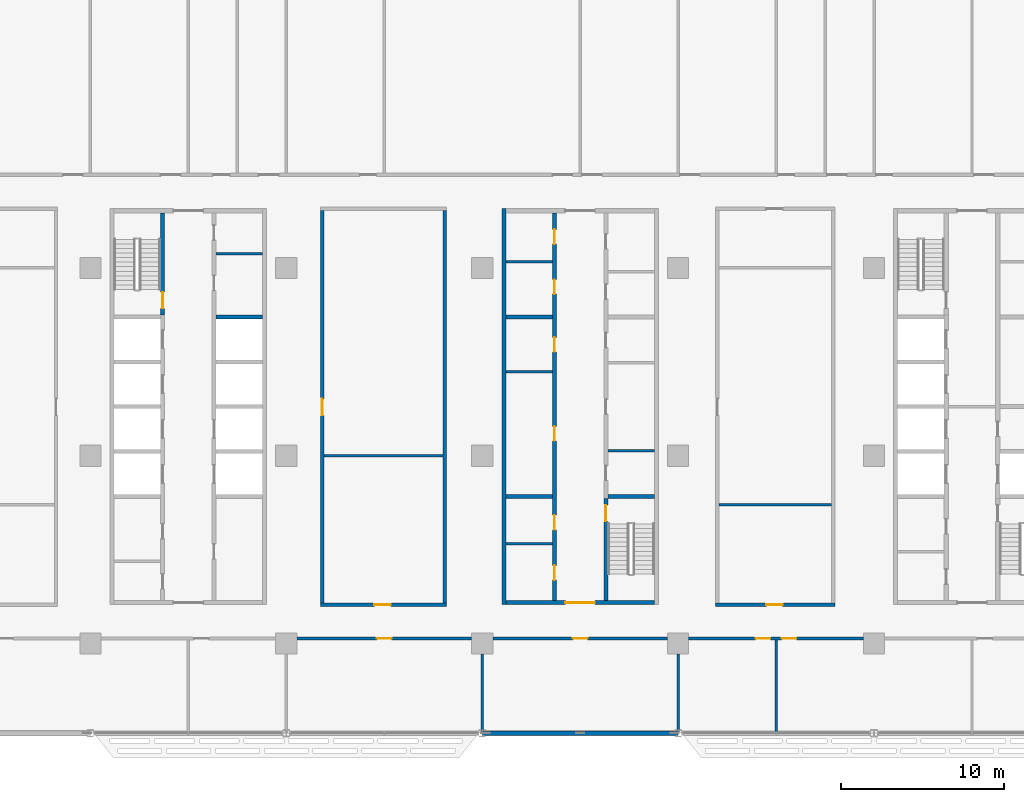
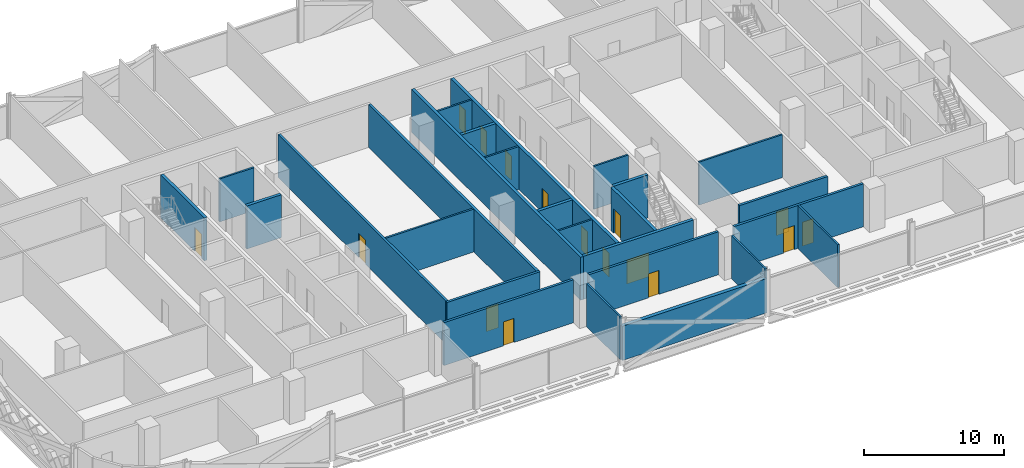
# One storey, part 14 of 28: 27 walls, 16 doors, 16 openings.
"""IFC4 building model written with IfcOpenShell, lengths in metres."""

from ifc_helpers import new_model, si_unit, direction, frame, frame_2d, origin, place, context, subcontext, project, spatial, rectangle, extrude, material, layer, layer_set, type_object, element, fill, save


model = new_model("IFC4")

# Units and contexts
model_context = context("Model", 3, precision=1e-05, world=origin(), true_north=direction((0.0, 1.0)))
body_context = subcontext(model_context, "Body", "Model", "MODEL_VIEW")
ifc_project = project(units=[si_unit("LENGTHUNIT", "METRE"), si_unit("AREAUNIT", "SQUARE_METRE"), si_unit("VOLUMEUNIT", "CUBIC_METRE"), si_unit("PLANEANGLEUNIT", "RADIAN"), si_unit("MASSUNIT", "GRAM", prefix="KILO")], contexts=[model_context])

# Site, building, storey
site_placement = place(None, origin())
site = spatial("IfcSite", under=ifc_project, at=site_placement, CompositionType="ELEMENT")
building_placement = place(site_placement, origin())
building = spatial("IfcBuilding", under=site, at=building_placement, Name="Mahtab Terrace Research Tower", CompositionType="ELEMENT")
storey_placement = place(building_placement, frame((0.0, 0.0, 134.300048828125)))
storey = spatial("IfcBuildingStorey", under=building, at=storey_placement, Name="L31", CompositionType="ELEMENT", Elevation=134.300048828125)

# Walls
ifc_material_1 = material(Name="Gypsum board partition")
ifc_layer_1 = layer(ifc_material_1, 0.14990234375)
ifc_layer_set_1 = layer_set([ifc_layer_1], Name="Core partition 150")
wall_type_1 = type_object("IfcWallType", Name="Core partition 150", PredefinedType="PARTITIONING", material=ifc_layer_set_1)
for number, where, z_axis, x_axis, name in (
    (1, (-22.300048828125, 12.35498046875, 0.0), (0.0, 0.0, 1.0), (1.0, 0.0, 0.0), "Core wall A pEN936"),
    (2, (-4.550048828125, 5.14990234375, 0.0), (0.0, 0.0, 1.0), (1.0, 0.0, 0.0), "Core wall B pWL215"),
    (3, (1.699951171875, 0.3125, 0.0), (0.0, 0.0, 1.0), (1.0, 0.0, 0.0), "Core wall B pEL-269"),
    (4, (-4.550048828125, -5.39501953125, 0.0), (0.0, 0.0, 1.0), (1.0, 0.0, 0.0), "Core wall B pWS-840"),
    (5, (-4.550048828125, 11.875, 0.0), (0.0, 0.0, 1.0), (1.0, 0.0, 0.0), "Core wall B pWN888"),
):
    element("IfcWall", number, at=place(storey_placement, frame(where, z_axis=z_axis, x_axis=x_axis)), inside=storey, type_object=wall_type_1, Name=name, PredefinedType="PARTITIONING", context=body_context, shape_type="SweptSolid", body=[
        extrude(rectangle(XDim=2.85009765625, YDim=0.14990234375, at=frame_2d((1.425048828125, 0.0))), origin(), (0.0, 0.0, 1.0), 3.760009765625),
    ])

# Wall, opening, door
ifc_material_2 = material(Name="Concrete C70/85", Category="concrete")
ifc_layer_2 = layer(ifc_material_2, 0.25)
ifc_layer_set_2 = layer_set([ifc_layer_2], Name="Core wall 250")
wall_type_2 = type_object("IfcWallType", Name="Core wall 250", PredefinedType="SOLIDWALL", material=ifc_layer_set_2)
wall_1_placement = place(storey_placement, frame((-25.574951171875, 14.875, 0.0), z_axis=(0.0, 0.0, 1.0), x_axis=(0.0, -1.0, 0.0)))
wall_1 = element("IfcWall", 6, at=wall_1_placement, inside=storey, type_object=wall_type_2, Name="Core wall A innerWN", PredefinedType="SOLIDWALL", context=body_context, shape_type="SweptSolid", body=[
    extrude(rectangle(XDim=6.25, YDim=0.25, at=frame_2d((3.125, 0.0))), origin(), (0.0, 0.0, 1.0), 3.760009765625),
])
opening_1_placement = place(wall_1_placement, frame((4.85009765625, 0.0, 0.0)))
opening_1 = element("IfcOpeningElement", 7, at=opening_1_placement, cuts=wall_1, Name="Opening A-ST1", PredefinedType="OPENING", context=body_context, shape_type="SweptSolid", body=[
    extrude(rectangle(XDim=1.0, YDim=2.10009765625, at=frame_2d((0.5, 1.050048828125))), frame((0.0, 0.135009765625, 0.0), z_axis=(0.0, -1.0, 0.0), x_axis=(1.0, 0.0, 0.0)), (0.0, 0.0, 1.0), 0.27001953125),
])
ifc_material_3 = material(Name="Steel fire door", Category="steel")
door_type_1 = type_object("IfcDoorType", Name="Stair door 1000x2100 1.5 HR", OperationType="NOTDEFINED", PredefinedType="DOOR", material=ifc_material_3)
door_1_placement = place(opening_1_placement, origin())
door_1 = element("IfcDoor", 8, at=door_1_placement, inside=storey, type_object=door_type_1, Name="Stair door ST1 L31", OperationType="SINGLE_SWING_RIGHT", OverallHeight=2.10009765625, OverallWidth=1.0, PredefinedType="DOOR", context=body_context, shape_type="SweptSolid", body=[
    extrude(rectangle(XDim=1.0, YDim=2.10009765625, at=frame_2d((0.5, 1.050048828125))), frame((0.0, 0.02490234375, 0.0), z_axis=(0.0, -1.0, 0.0), x_axis=(1.0, 0.0, 0.0)), (0.0, 0.0, 1.0), 0.050048828125),
])
fill(opening_1, door_1)

# Walls
wall_2_placement = place(storey_placement, frame((-22.300048828125, 8.5, 0.0), z_axis=(0.0, 0.0, 1.0), x_axis=(1.0, 0.0, 0.0)))
element("IfcWall", 9, at=wall_2_placement, inside=storey, type_object=wall_type_2, Name="Core wall A divE4", PredefinedType="SOLIDWALL", context=body_context, shape_type="SweptSolid", body=[
    extrude(rectangle(XDim=2.85009765625, YDim=0.25, at=frame_2d((1.425048828125, 0.0))), origin(), (0.0, 0.0, 1.0), 3.760009765625),
])
wall_3_placement = place(storey_placement, frame((-4.675048828125, 15.125, 0.0), z_axis=(0.0, 0.0, 1.0), x_axis=(0.0, -1.0, 0.0)))
element("IfcWall", 10, at=wall_3_placement, inside=storey, type_object=wall_type_2, Name="Core wall B outerW", PredefinedType="SOLIDWALL", context=body_context, shape_type="SweptSolid", body=[
    extrude(rectangle(XDim=24.25, YDim=0.25, at=frame_2d((12.125, 0.0))), origin(), (0.0, 0.0, 1.0), 3.760009765625),
])

# Wall, opening, door
wall_4_placement = place(storey_placement, frame((4.550048828125, -9.0, 0.0), z_axis=(0.0, 0.0, 1.0), x_axis=(-1.0, 0.0, 0.0)))
wall_4 = element("IfcWall", 11, at=wall_4_placement, inside=storey, type_object=wall_type_2, Name="Core wall B endS", PredefinedType="SOLIDWALL", context=body_context, shape_type="SweptSolid", body=[
    extrude(rectangle(XDim=9.10009765625, YDim=0.25, at=frame_2d((4.550048828125, 0.0))), origin(), (0.0, 0.0, 1.0), 3.760009765625),
])
opening_2_placement = place(wall_4_placement, frame((3.64990234375, 0.0, 0.0)))
opening_2 = element("IfcOpeningElement", 12, at=opening_2_placement, cuts=wall_4, Name="Opening B-S1", PredefinedType="OPENING", context=body_context, shape_type="SweptSolid", body=[
    extrude(rectangle(XDim=1.800048828125, YDim=2.10009765625, at=frame_2d((0.89990234375, 1.050048828125))), frame((0.0, 0.135009765625, 0.0), z_axis=(0.0, -1.0, 0.0), x_axis=(1.0, 0.0, 0.0)), (0.0, 0.0, 1.0), 0.27001953125),
])
door_type_2 = type_object("IfcDoorType", Name="Lobby double door 1800x2100 1 HR", OperationType="DOUBLE_DOOR_SINGLE_SWING", PredefinedType="DOOR", material=ifc_material_3)
door_2_placement = place(opening_2_placement, origin())
door_2 = element("IfcDoor", 13, at=door_2_placement, inside=storey, type_object=door_type_2, Name="Core entrance door B S", OperationType="DOUBLE_DOOR_SINGLE_SWING", OverallHeight=2.10009765625, OverallWidth=1.800048828125, PredefinedType="DOOR", context=body_context, shape_type="SweptSolid", body=[
    extrude(rectangle(XDim=1.800048828125, YDim=2.10009765625, at=frame_2d((0.89990234375, 1.050048828125))), frame((0.0, 0.02490234375, 0.0), z_axis=(0.0, -1.0, 0.0), x_axis=(1.0, 0.0, 0.0)), (0.0, 0.0, 1.0), 0.050048828125),
])
fill(opening_2, door_2)

# Wall, openings, doors
wall_5_placement = place(storey_placement, frame((-1.574951171875, -8.875, 0.0), z_axis=(0.0, 0.0, 1.0), x_axis=(0.0, 1.0, 0.0)))
wall_5 = element("IfcWall", 14, at=wall_5_placement, inside=storey, type_object=wall_type_2, Name="Core wall B innerWSLN", PredefinedType="SOLIDWALL", context=body_context, shape_type="SweptSolid", body=[
    extrude(rectangle(XDim=23.75, YDim=0.25, at=frame_2d((11.875, 0.0))), origin(), (0.0, 0.0, 1.0), 3.760009765625),
])
opening_3_placement = place(wall_5_placement, frame((9.77490234375, 0.0, 0.0)))
opening_3 = element("IfcOpeningElement", 15, at=opening_3_placement, cuts=wall_5, Name="Opening B-R1", PredefinedType="OPENING", context=body_context, shape_type="SweptSolid", body=[
    extrude(rectangle(XDim=0.89990234375, YDim=2.10009765625, at=frame_2d((0.449951171875, 1.050048828125))), frame((0.0, 0.135009765625, 0.0), z_axis=(0.0, -1.0, 0.0), x_axis=(1.0, 0.0, 0.0)), (0.0, 0.0, 1.0), 0.27001953125),
])
opening_4_placement = place(wall_5_placement, frame((15.22509765625, 0.0, 0.0)))
opening_4 = element("IfcOpeningElement", 16, at=opening_4_placement, cuts=wall_5, Name="Opening B-R2", PredefinedType="OPENING", context=body_context, shape_type="SweptSolid", body=[
    extrude(rectangle(XDim=0.89990234375, YDim=2.10009765625, at=frame_2d((0.449951171875, 1.050048828125))), frame((0.0, 0.135009765625, 0.0), z_axis=(0.0, -1.0, 0.0), x_axis=(1.0, 0.0, 0.0)), (0.0, 0.0, 1.0), 0.27001953125),
])
opening_5_placement = place(wall_5_placement, frame((1.25244140625, 0.0, 0.0)))
opening_5 = element("IfcOpeningElement", 17, at=opening_5_placement, cuts=wall_5, Name="Opening B-R6", PredefinedType="OPENING", context=body_context, shape_type="SweptSolid", body=[
    extrude(rectangle(XDim=0.89990234375, YDim=2.10009765625, at=frame_2d((0.449951171875, 1.050048828125))), frame((0.0, 0.135009765625, 0.0), z_axis=(0.0, -1.0, 0.0), x_axis=(1.0, 0.0, 0.0)), (0.0, 0.0, 1.0), 0.27001953125),
])
opening_6_placement = place(wall_5_placement, frame((4.327392578125, 0.0, 0.0)))
opening_6 = element("IfcOpeningElement", 18, at=opening_6_placement, cuts=wall_5, Name="Opening B-R7", PredefinedType="OPENING", context=body_context, shape_type="SweptSolid", body=[
    extrude(rectangle(XDim=0.89990234375, YDim=2.10009765625, at=frame_2d((0.449951171875, 1.050048828125))), frame((0.0, 0.135009765625, 0.0), z_axis=(0.0, -1.0, 0.0), x_axis=(1.0, 0.0, 0.0)), (0.0, 0.0, 1.0), 0.27001953125),
])
opening_7_placement = place(wall_5_placement, frame((18.762451171875, 0.0, 0.0)))
opening_7 = element("IfcOpeningElement", 19, at=opening_7_placement, cuts=wall_5, Name="Opening B-R8", PredefinedType="OPENING", context=body_context, shape_type="SweptSolid", body=[
    extrude(rectangle(XDim=0.89990234375, YDim=2.10009765625, at=frame_2d((0.449951171875, 1.050048828125))), frame((0.0, 0.135009765625, 0.0), z_axis=(0.0, -1.0, 0.0), x_axis=(1.0, 0.0, 0.0)), (0.0, 0.0, 1.0), 0.27001953125),
])
opening_8_placement = place(wall_5_placement, frame((21.83740234375, 0.0, 0.0)))
opening_8 = element("IfcOpeningElement", 20, at=opening_8_placement, cuts=wall_5, Name="Opening B-R9", PredefinedType="OPENING", context=body_context, shape_type="SweptSolid", body=[
    extrude(rectangle(XDim=0.89990234375, YDim=2.10009765625, at=frame_2d((0.449951171875, 1.050048828125))), frame((0.0, 0.135009765625, 0.0), z_axis=(0.0, -1.0, 0.0), x_axis=(1.0, 0.0, 0.0)), (0.0, 0.0, 1.0), 0.27001953125),
])
door_type_3 = type_object("IfcDoorType", Name="Room door 900x2100 1 HR", OperationType="NOTDEFINED", PredefinedType="DOOR", material=ifc_material_3)
door_3_placement = place(opening_3_placement, origin())
door_3 = element("IfcDoor", 21, at=door_3_placement, inside=storey, type_object=door_type_3, Name="Chemical store door", OperationType="SINGLE_SWING_LEFT", OverallHeight=2.10009765625, OverallWidth=0.89990234375, PredefinedType="DOOR", context=body_context, shape_type="SweptSolid", body=[
    extrude(rectangle(XDim=0.89990234375, YDim=2.10009765625, at=frame_2d((0.449951171875, 1.050048828125))), frame((0.0, 0.02490234375, 0.0), z_axis=(0.0, -1.0, 0.0), x_axis=(1.0, 0.0, 0.0)), (0.0, 0.0, 1.0), 0.050048828125),
])
fill(opening_3, door_3)
door_4_placement = place(opening_4_placement, origin())
door_4 = element("IfcDoor", 22, at=door_4_placement, inside=storey, type_object=door_type_3, Name="Waste room door", OperationType="SINGLE_SWING_RIGHT", OverallHeight=2.10009765625, OverallWidth=0.89990234375, PredefinedType="DOOR", context=body_context, shape_type="SweptSolid", body=[
    extrude(rectangle(XDim=0.89990234375, YDim=2.10009765625, at=frame_2d((0.449951171875, 1.050048828125))), frame((0.0, 0.02490234375, 0.0), z_axis=(0.0, -1.0, 0.0), x_axis=(1.0, 0.0, 0.0)), (0.0, 0.0, 1.0), 0.050048828125),
])
fill(opening_4, door_4)
door_5_placement = place(opening_5_placement, origin())
door_5 = element("IfcDoor", 23, at=door_5_placement, inside=storey, type_object=door_type_3, Name="Pantry door", OperationType="SINGLE_SWING_RIGHT", OverallHeight=2.10009765625, OverallWidth=0.89990234375, PredefinedType="DOOR", context=body_context, shape_type="SweptSolid", body=[
    extrude(rectangle(XDim=0.89990234375, YDim=2.10009765625, at=frame_2d((0.449951171875, 1.050048828125))), frame((0.0, 0.02490234375, 0.0), z_axis=(0.0, -1.0, 0.0), x_axis=(1.0, 0.0, 0.0)), (0.0, 0.0, 1.0), 0.050048828125),
])
fill(opening_5, door_5)
door_6_placement = place(opening_6_placement, origin())
door_6 = element("IfcDoor", 24, at=door_6_placement, inside=storey, type_object=door_type_3, Name="Linen store door", OperationType="SINGLE_SWING_LEFT", OverallHeight=2.10009765625, OverallWidth=0.89990234375, PredefinedType="DOOR", context=body_context, shape_type="SweptSolid", body=[
    extrude(rectangle(XDim=0.89990234375, YDim=2.10009765625, at=frame_2d((0.449951171875, 1.050048828125))), frame((0.0, 0.02490234375, 0.0), z_axis=(0.0, -1.0, 0.0), x_axis=(1.0, 0.0, 0.0)), (0.0, 0.0, 1.0), 0.050048828125),
])
fill(opening_6, door_6)
door_7_placement = place(opening_7_placement, origin())
door_7 = element("IfcDoor", 25, at=door_7_placement, inside=storey, type_object=door_type_3, Name="Housekeeping store door", OperationType="SINGLE_SWING_RIGHT", OverallHeight=2.10009765625, OverallWidth=0.89990234375, PredefinedType="DOOR", context=body_context, shape_type="SweptSolid", body=[
    extrude(rectangle(XDim=0.89990234375, YDim=2.10009765625, at=frame_2d((0.449951171875, 1.050048828125))), frame((0.0, 0.02490234375, 0.0), z_axis=(0.0, -1.0, 0.0), x_axis=(1.0, 0.0, 0.0)), (0.0, 0.0, 1.0), 0.050048828125),
])
fill(opening_7, door_7)
door_8_placement = place(opening_8_placement, origin())
door_8 = element("IfcDoor", 26, at=door_8_placement, inside=storey, type_object=door_type_3, Name="Electrical riser room door", OperationType="SINGLE_SWING_LEFT", OverallHeight=2.10009765625, OverallWidth=0.89990234375, PredefinedType="DOOR", context=body_context, shape_type="SweptSolid", body=[
    extrude(rectangle(XDim=0.89990234375, YDim=2.10009765625, at=frame_2d((0.449951171875, 1.050048828125))), frame((0.0, 0.02490234375, 0.0), z_axis=(0.0, -1.0, 0.0), x_axis=(1.0, 0.0, 0.0)), (0.0, 0.0, 1.0), 0.050048828125),
])
fill(opening_8, door_8)

# Wall, opening, door
wall_6_placement = place(storey_placement, frame((1.574951171875, -8.875, 0.0), z_axis=(0.0, 0.0, 1.0), x_axis=(0.0, 1.0, 0.0)))
wall_6 = element("IfcWall", 27, at=wall_6_placement, inside=storey, type_object=wall_type_2, Name="Core wall B innerES", PredefinedType="SOLIDWALL", context=body_context, shape_type="SweptSolid", body=[
    extrude(rectangle(XDim=6.25, YDim=0.25, at=frame_2d((3.125, 0.0))), origin(), (0.0, 0.0, 1.0), 3.760009765625),
])
opening_9_placement = place(wall_6_placement, frame((4.85009765625, 0.0, 0.0)))
opening_9 = element("IfcOpeningElement", 28, at=opening_9_placement, cuts=wall_6, Name="Opening B-ST2", PredefinedType="OPENING", context=body_context, shape_type="SweptSolid", body=[
    extrude(rectangle(XDim=1.0, YDim=2.10009765625, at=frame_2d((0.5, 1.050048828125))), frame((0.0, 0.135009765625, 0.0), z_axis=(0.0, -1.0, 0.0), x_axis=(1.0, 0.0, 0.0)), (0.0, 0.0, 1.0), 0.27001953125),
])
door_9_placement = place(opening_9_placement, origin())
door_9 = element("IfcDoor", 29, at=door_9_placement, inside=storey, type_object=door_type_1, Name="Stair door ST2 L31", OperationType="SINGLE_SWING_RIGHT", OverallHeight=2.10009765625, OverallWidth=1.0, PredefinedType="DOOR", context=body_context, shape_type="SweptSolid", body=[
    extrude(rectangle(XDim=1.0, YDim=2.10009765625, at=frame_2d((0.5, 1.050048828125))), frame((0.0, 0.02490234375, 0.0), z_axis=(0.0, -1.0, 0.0), x_axis=(1.0, 0.0, 0.0)), (0.0, 0.0, 1.0), 0.050048828125),
])
fill(opening_9, door_9)

# Walls
for number, where, z_axis, x_axis, name in (
    (30, (-4.550048828125, -2.5, 0.0), (0.0, 0.0, 1.0), (1.0, 0.0, 0.0), "Core wall B divW0"),
    (31, (-4.550048828125, 8.5, 0.0), (0.0, 0.0, 1.0), (1.0, 0.0, 0.0), "Core wall B divW4"),
    (32, (1.699951171875, -2.5, 0.0), (0.0, 0.0, 1.0), (1.0, 0.0, 0.0), "Core wall B divE0"),
):
    element("IfcWall", number, at=place(storey_placement, frame(where, z_axis=z_axis, x_axis=x_axis)), inside=storey, type_object=wall_type_2, Name=name, PredefinedType="SOLIDWALL", context=body_context, shape_type="SweptSolid", body=[
        extrude(rectangle(XDim=2.85009765625, YDim=0.25, at=frame_2d((1.425048828125, 0.0))), origin(), (0.0, 0.0, 1.0), 3.760009765625),
    ])
ifc_material_4 = material(Name="Black aluminium cladding panel", Category="aluminium")
ifc_layer_3 = layer(ifc_material_4, 0.300048828125)
ifc_layer_set_3 = layer_set([ifc_layer_3], Name="Opaque facade wall 300")
wall_type_3 = type_object("IfcWallType", Name="Opaque facade wall 300", PredefinedType="NOTDEFINED", material=ifc_layer_set_3)
wall_7_placement = place(storey_placement, frame((-5.982177734375, -17.0, 0.0), z_axis=(0.0, 0.0, 1.0), x_axis=(1.0, 0.0, 0.0)))
element("IfcWall", 33, at=wall_7_placement, inside=storey, type_object=wall_type_3, Name="Opaque facade wall L31 S27", PredefinedType="NOTDEFINED", context=body_context, shape_type="SweptSolid", body=[
    extrude(rectangle(XDim=11.96435546875, YDim=0.300048828125, at=frame_2d((5.982177734375, 0.0))), origin(), (0.0, 0.0, 1.0), 3.0029296875),
])

# Wall, opening, door
ifc_material_5 = material(Name="Gypsum board corridor wall on steel studs", Category="steel")
ifc_layer_4 = layer(ifc_material_5, 0.199951171875)
ifc_layer_set_4 = layer_set([ifc_layer_4], Name="WALL CORRIDOR 200")
wall_type_4 = type_object("IfcWallType", Name="WALL CORRIDOR 200", PredefinedType="PARTITIONING", material=ifc_layer_set_4)
wall_8_placement = place(storey_placement, frame((-17.35009765625, -11.199951171875, 0.0), z_axis=(0.0, 0.0, 1.0), x_axis=(1.0, 0.0, 0.0)))
wall_8 = element("IfcWall", 34, at=wall_8_placement, inside=storey, type_object=wall_type_4, Name="L31-W004", PredefinedType="PARTITIONING", context=body_context, shape_type="SweptSolid", body=[
    extrude(rectangle(XDim=10.7001953125, YDim=0.199951171875, at=frame_2d((5.35009765625, 0.0))), origin(), (0.0, 0.0, 1.0), 3.760009765625),
])
opening_10_placement = place(wall_8_placement, frame((4.89990234375, 0.0, 0.0)))
opening_10 = element("IfcOpeningElement", 35, at=opening_10_placement, cuts=wall_8, Name="Opening L31-104", PredefinedType="OPENING", context=body_context, shape_type="SweptSolid", body=[
    extrude(rectangle(XDim=0.89990234375, YDim=2.10009765625, at=frame_2d((0.449951171875, 1.050048828125))), frame((0.0, 0.10986328125, 0.0), z_axis=(0.0, -1.0, 0.0), x_axis=(1.0, 0.0, 0.0)), (0.0, 0.0, 1.0), 0.219970703125),
])
ifc_material_6 = material(Name="Timber door leaf in steel frame", Category="steel")
door_type_4 = type_object("IfcDoorType", Name="DOOR 0900X2100 FD30S", OperationType="SINGLE_SWING_LEFT", PredefinedType="DOOR", material=ifc_material_6)
door_10_placement = place(opening_10_placement, origin())
door_10 = element("IfcDoor", 36, at=door_10_placement, inside=storey, type_object=door_type_4, Name="Door L31-104", OperationType="SINGLE_SWING_LEFT", OverallHeight=2.10009765625, OverallWidth=0.89990234375, PredefinedType="DOOR", context=body_context, shape_type="SweptSolid", body=[
    extrude(rectangle(XDim=0.89990234375, YDim=2.10009765625, at=frame_2d((0.449951171875, 1.050048828125))), frame((0.0, 0.02490234375, 0.0), z_axis=(0.0, -1.0, 0.0), x_axis=(1.0, 0.0, 0.0)), (0.0, 0.0, 1.0), 0.050048828125),
])
fill(opening_10, door_10)

wall_9_placement = place(storey_placement, frame((-5.35009765625, -11.199951171875, 0.0), z_axis=(0.0, 0.0, 1.0), x_axis=(1.0, 0.0, 0.0)))
wall_9 = element("IfcWall", 37, at=wall_9_placement, inside=storey, type_object=wall_type_4, Name="L31-W005", PredefinedType="PARTITIONING", context=body_context, shape_type="SweptSolid", body=[
    extrude(rectangle(XDim=10.7001953125, YDim=0.199951171875, at=frame_2d((5.35009765625, 0.0))), origin(), (0.0, 0.0, 1.0), 3.760009765625),
])
opening_11_placement = place(wall_9_placement, frame((4.89990234375, 0.0, 0.0)))
opening_11 = element("IfcOpeningElement", 38, at=opening_11_placement, cuts=wall_9, Name="Opening L31-105", PredefinedType="OPENING", context=body_context, shape_type="SweptSolid", body=[
    extrude(rectangle(XDim=0.89990234375, YDim=2.10009765625, at=frame_2d((0.449951171875, 1.050048828125))), frame((0.0, 0.10986328125, 0.0), z_axis=(0.0, -1.0, 0.0), x_axis=(1.0, 0.0, 0.0)), (0.0, 0.0, 1.0), 0.219970703125),
])
door_11_placement = place(opening_11_placement, origin())
door_11 = element("IfcDoor", 39, at=door_11_placement, inside=storey, type_object=door_type_4, Name="Door L31-105", OperationType="SINGLE_SWING_LEFT", OverallHeight=2.10009765625, OverallWidth=0.89990234375, PredefinedType="DOOR", context=body_context, shape_type="SweptSolid", body=[
    extrude(rectangle(XDim=0.89990234375, YDim=2.10009765625, at=frame_2d((0.449951171875, 1.050048828125))), frame((0.0, 0.02490234375, 0.0), z_axis=(0.0, -1.0, 0.0), x_axis=(1.0, 0.0, 0.0)), (0.0, 0.0, 1.0), 0.050048828125),
])
fill(opening_11, door_11)

# Wall, openings, doors
wall_10_placement = place(storey_placement, frame((6.64990234375, -11.199951171875, 0.0), z_axis=(0.0, 0.0, 1.0), x_axis=(1.0, 0.0, 0.0)))
wall_10 = element("IfcWall", 40, at=wall_10_placement, inside=storey, type_object=wall_type_4, Name="L31-W006", PredefinedType="PARTITIONING", context=body_context, shape_type="SweptSolid", body=[
    extrude(rectangle(XDim=10.7001953125, YDim=0.199951171875, at=frame_2d((5.35009765625, 0.0))), origin(), (0.0, 0.0, 1.0), 3.760009765625),
])
opening_12_placement = place(wall_10_placement, frame((4.10009765625, 0.0, 0.0)))
opening_12 = element("IfcOpeningElement", 41, at=opening_12_placement, cuts=wall_10, Name="Opening L31-106", PredefinedType="OPENING", context=body_context, shape_type="SweptSolid", body=[
    extrude(rectangle(XDim=0.89990234375, YDim=2.10009765625, at=frame_2d((0.449951171875, 1.050048828125))), frame((0.0, 0.10986328125, 0.0), z_axis=(0.0, -1.0, 0.0), x_axis=(1.0, 0.0, 0.0)), (0.0, 0.0, 1.0), 0.219970703125),
])
opening_13_placement = place(wall_10_placement, frame((5.699951171875, 0.0, 0.0)))
opening_13 = element("IfcOpeningElement", 42, at=opening_13_placement, cuts=wall_10, Name="Opening L31-107", PredefinedType="OPENING", context=body_context, shape_type="SweptSolid", body=[
    extrude(rectangle(XDim=0.89990234375, YDim=2.10009765625, at=frame_2d((0.449951171875, 1.050048828125))), frame((0.0, 0.10986328125, 0.0), z_axis=(0.0, -1.0, 0.0), x_axis=(1.0, 0.0, 0.0)), (0.0, 0.0, 1.0), 0.219970703125),
])
door_12_placement = place(opening_12_placement, origin())
door_12 = element("IfcDoor", 43, at=door_12_placement, inside=storey, type_object=door_type_4, Name="Door L31-106", OperationType="SINGLE_SWING_RIGHT", OverallHeight=2.10009765625, OverallWidth=0.89990234375, PredefinedType="DOOR", context=body_context, shape_type="SweptSolid", body=[
    extrude(rectangle(XDim=0.89990234375, YDim=2.10009765625, at=frame_2d((0.449951171875, 1.050048828125))), frame((0.0, 0.02490234375, 0.0), z_axis=(0.0, -1.0, 0.0), x_axis=(1.0, 0.0, 0.0)), (0.0, 0.0, 1.0), 0.050048828125),
])
fill(opening_12, door_12)
door_13_placement = place(opening_13_placement, origin())
door_13 = element("IfcDoor", 44, at=door_13_placement, inside=storey, type_object=door_type_4, Name="Door L31-107", OperationType="SINGLE_SWING_LEFT", OverallHeight=2.10009765625, OverallWidth=0.89990234375, PredefinedType="DOOR", context=body_context, shape_type="SweptSolid", body=[
    extrude(rectangle(XDim=0.89990234375, YDim=2.10009765625, at=frame_2d((0.449951171875, 1.050048828125))), frame((0.0, 0.02490234375, 0.0), z_axis=(0.0, -1.0, 0.0), x_axis=(1.0, 0.0, 0.0)), (0.0, 0.0, 1.0), 0.050048828125),
])
fill(opening_13, door_13)

# Wall, opening, door
wall_11_placement = place(storey_placement, frame((-15.89990234375, -9.125, 0.0), z_axis=(0.0, 0.0, 1.0), x_axis=(1.0, 0.0, 0.0)))
wall_11 = element("IfcWall", 45, at=wall_11_placement, inside=storey, type_object=wall_type_4, Name="L31-W011", PredefinedType="PARTITIONING", context=body_context, shape_type="SweptSolid", body=[
    extrude(rectangle(XDim=7.699951171875, YDim=0.199951171875, at=frame_2d((3.85009765625, 0.0))), origin(), (0.0, 0.0, 1.0), 3.760009765625),
])
opening_14_placement = place(wall_11_placement, frame((3.300048828125, 0.0, 0.0)))
opening_14 = element("IfcOpeningElement", 46, at=opening_14_placement, cuts=wall_11, Name="Opening L31-114", PredefinedType="OPENING", context=body_context, shape_type="SweptSolid", body=[
    extrude(rectangle(XDim=1.0, YDim=2.10009765625, at=frame_2d((0.5, 1.050048828125))), frame((0.0, 0.10986328125, 0.0), z_axis=(0.0, -1.0, 0.0), x_axis=(1.0, 0.0, 0.0)), (0.0, 0.0, 1.0), 0.219970703125),
])
door_type_5 = type_object("IfcDoorType", Name="DOOR 1000X2100 FD30S", OperationType="SINGLE_SWING_LEFT", PredefinedType="DOOR", material=ifc_material_6)
door_14_placement = place(opening_14_placement, origin())
door_14 = element("IfcDoor", 47, at=door_14_placement, inside=storey, type_object=door_type_5, Name="Door L31-114", OperationType="SINGLE_SWING_LEFT", OverallHeight=2.10009765625, OverallWidth=1.0, PredefinedType="DOOR", context=body_context, shape_type="SweptSolid", body=[
    extrude(rectangle(XDim=1.0, YDim=2.10009765625, at=frame_2d((0.5, 1.050048828125))), frame((0.0, 0.02490234375, 0.0), z_axis=(0.0, -1.0, 0.0), x_axis=(1.0, 0.0, 0.0)), (0.0, 0.0, 1.0), 0.050048828125),
])
fill(opening_14, door_14)

wall_12_placement = place(storey_placement, frame((8.300048828125, -9.125, 0.0), z_axis=(0.0, 0.0, 1.0), x_axis=(1.0, 0.0, 0.0)))
wall_12 = element("IfcWall", 48, at=wall_12_placement, inside=storey, type_object=wall_type_4, Name="L31-W012", PredefinedType="PARTITIONING", context=body_context, shape_type="SweptSolid", body=[
    extrude(rectangle(XDim=7.300048828125, YDim=0.199951171875, at=frame_2d((3.64990234375, 0.0))), origin(), (0.0, 0.0, 1.0), 3.760009765625),
])
opening_15_placement = place(wall_12_placement, frame((3.10009765625, 0.0, 0.0)))
opening_15 = element("IfcOpeningElement", 49, at=opening_15_placement, cuts=wall_12, Name="Opening L31-113", PredefinedType="OPENING", context=body_context, shape_type="SweptSolid", body=[
    extrude(rectangle(XDim=1.0, YDim=2.10009765625, at=frame_2d((0.5, 1.050048828125))), frame((0.0, 0.10986328125, 0.0), z_axis=(0.0, -1.0, 0.0), x_axis=(1.0, 0.0, 0.0)), (0.0, 0.0, 1.0), 0.219970703125),
])
door_15_placement = place(opening_15_placement, origin())
door_15 = element("IfcDoor", 50, at=door_15_placement, inside=storey, type_object=door_type_5, Name="Door L31-113", OperationType="SINGLE_SWING_LEFT", OverallHeight=2.10009765625, OverallWidth=1.0, PredefinedType="DOOR", context=body_context, shape_type="SweptSolid", body=[
    extrude(rectangle(XDim=1.0, YDim=2.10009765625, at=frame_2d((0.5, 1.050048828125))), frame((0.0, 0.02490234375, 0.0), z_axis=(0.0, -1.0, 0.0), x_axis=(1.0, 0.0, 0.0)), (0.0, 0.0, 1.0), 0.050048828125),
])
fill(opening_15, door_15)

wall_13_placement = place(storey_placement, frame((-15.800048828125, -9.02490234375, 0.0), z_axis=(0.0, 0.0, 1.0), x_axis=(0.0, 1.0, 0.0)))
wall_13 = element("IfcWall", 51, at=wall_13_placement, inside=storey, type_object=wall_type_4, Name="L31-W038", PredefinedType="PARTITIONING", context=body_context, shape_type="SweptSolid", body=[
    extrude(rectangle(XDim=24.0498046875, YDim=0.199951171875, at=frame_2d((12.02490234375, 0.0))), origin(), (0.0, 0.0, 1.0), 3.760009765625),
])
opening_16_placement = place(wall_13_placement, frame((11.5, 0.0, 0.0)))
opening_16 = element("IfcOpeningElement", 52, at=opening_16_placement, cuts=wall_13, Name="Opening L31-120", PredefinedType="OPENING", context=body_context, shape_type="SweptSolid", body=[
    extrude(rectangle(XDim=1.0, YDim=2.10009765625, at=frame_2d((0.5, 1.050048828125))), frame((0.0, 0.10986328125, 0.0), z_axis=(0.0, -1.0, 0.0), x_axis=(1.0, 0.0, 0.0)), (0.0, 0.0, 1.0), 0.219970703125),
])
door_16_placement = place(opening_16_placement, origin())
door_16 = element("IfcDoor", 53, at=door_16_placement, inside=storey, type_object=door_type_5, Name="Door L31-120", OperationType="SINGLE_SWING_RIGHT", OverallHeight=2.10009765625, OverallWidth=1.0, PredefinedType="DOOR", context=body_context, shape_type="SweptSolid", body=[
    extrude(rectangle(XDim=1.0, YDim=2.10009765625, at=frame_2d((0.5, 1.050048828125))), frame((0.0, 0.02490234375, 0.0), z_axis=(0.0, -1.0, 0.0), x_axis=(1.0, 0.0, 0.0)), (0.0, 0.0, 1.0), 0.050048828125),
])
fill(opening_16, door_16)

# Walls
wall_14_placement = place(storey_placement, frame((-8.300048828125, -9.02490234375, 0.0), z_axis=(0.0, 0.0, 1.0), x_axis=(0.0, 1.0, 0.0)))
element("IfcWall", 54, at=wall_14_placement, inside=storey, type_object=wall_type_4, Name="L31-W040", PredefinedType="PARTITIONING", context=body_context, shape_type="SweptSolid", body=[
    extrude(rectangle(XDim=24.0498046875, YDim=0.199951171875, at=frame_2d((12.02490234375, 0.0))), origin(), (0.0, 0.0, 1.0), 3.760009765625),
])
ifc_material_7 = material(Name="Gypsum board partition on steel studs", Category="steel")
ifc_layer_5 = layer(ifc_material_7, 0.14990234375)
ifc_layer_set_5 = layer_set([ifc_layer_5], Name="WALL PARTITION 150")
wall_type_5 = type_object("IfcWallType", Name="WALL PARTITION 150", PredefinedType="PARTITIONING", material=ifc_layer_set_5)
wall_15_placement = place(storey_placement, frame((8.5, -3.0, 0.0), z_axis=(0.0, 0.0, 1.0), x_axis=(1.0, 0.0, 0.0)))
element("IfcWall", 55, at=wall_15_placement, inside=storey, type_object=wall_type_5, Name="L31-W015", PredefinedType="PARTITIONING", context=body_context, shape_type="SweptSolid", body=[
    extrude(rectangle(XDim=6.89990234375, YDim=0.14990234375, at=frame_2d((3.449951171875, 0.0))), origin(), (0.0, 0.0, 1.0), 3.760009765625),
])
wall_16_placement = place(storey_placement, frame((-15.699951171875, 0.0, 0.0), z_axis=(0.0, 0.0, 1.0), x_axis=(1.0, 0.0, 0.0)))
element("IfcWall", 56, at=wall_16_placement, inside=storey, type_object=wall_type_5, Name="L31-W016", PredefinedType="PARTITIONING", context=body_context, shape_type="SweptSolid", body=[
    extrude(rectangle(XDim=7.300048828125, YDim=0.14990234375, at=frame_2d((3.64990234375, 0.0))), origin(), (0.0, 0.0, 1.0), 3.760009765625),
])
for number, where, z_axis, x_axis, name in (
    (57, (-6.0, -16.97509765625, 0.0), (0.0, 0.0, 1.0), (0.0, 1.0, 0.0), "L31-W041"),
    (58, (6.0, -16.97509765625, 0.0), (0.0, 0.0, 1.0), (0.0, 1.0, 0.0), "L31-W043"),
):
    element("IfcWall", number, at=place(storey_placement, frame(where, z_axis=z_axis, x_axis=x_axis)), inside=storey, type_object=wall_type_5, Name=name, PredefinedType="PARTITIONING", context=body_context, shape_type="SweptSolid", body=[
        extrude(rectangle(XDim=4.8251953125, YDim=0.14990234375, at=frame_2d((2.41259765625, 0.0))), origin(), (0.0, 0.0, 1.0), 3.760009765625),
    ])
wall_17_placement = place(storey_placement, frame((12.0, -16.97509765625, 0.0), z_axis=(0.0, 0.0, 1.0), x_axis=(0.0, 1.0, 0.0)))
element("IfcWall", 59, at=wall_17_placement, inside=storey, type_object=wall_type_5, Name="L31-W046", PredefinedType="PARTITIONING", context=body_context, shape_type="SweptSolid", body=[
    extrude(rectangle(XDim=5.675048828125, YDim=0.14990234375, at=frame_2d((2.83740234375, 0.0))), origin(), (0.0, 0.0, 1.0), 3.760009765625),
])

save(model, "model.ifc")
